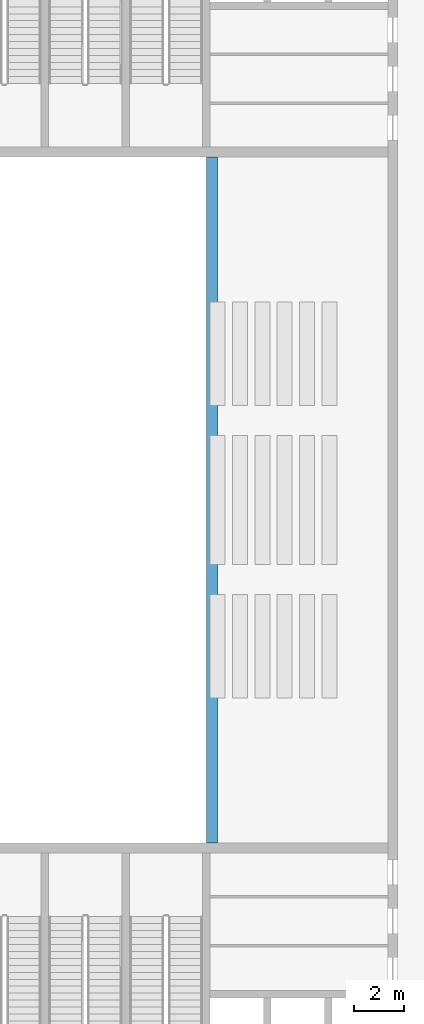
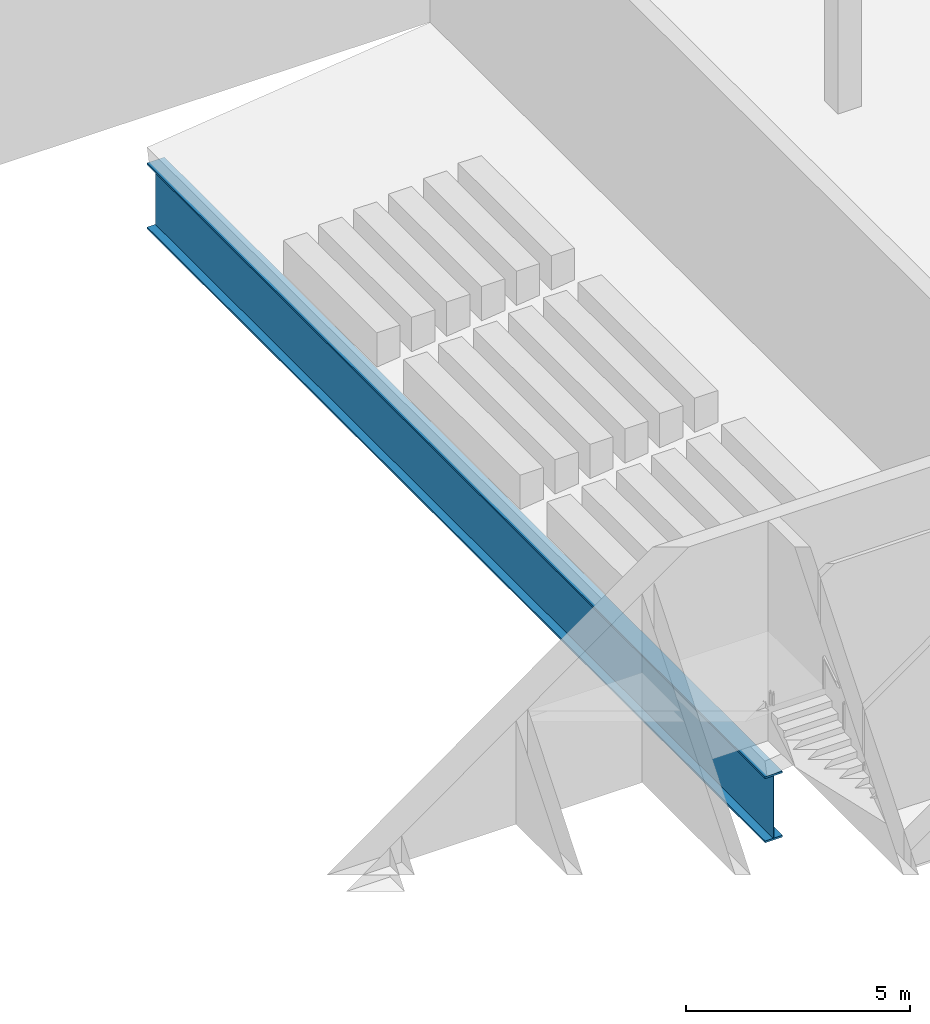
# One storey, part 6 of 74: 1 beam.
"""IFC4 building model written with IfcOpenShell, lengths in metres."""

from ifc_helpers import new_model, si_unit, direction, frame, origin, origin_2d, place, context, subcontext, project, spatial, i_section, extrude, material, material_profile, profile_set, type_object, element, save


model = new_model("IFC4")

# Units and contexts
model_context = context("Model", 3, precision=1e-05, world=origin(), true_north=direction((0.0, 1.0)))
body_context = subcontext(model_context, "Body", "Model", "MODEL_VIEW")
ifc_project = project(units=[si_unit("LENGTHUNIT", "METRE"), si_unit("AREAUNIT", "SQUARE_METRE"), si_unit("VOLUMEUNIT", "CUBIC_METRE"), si_unit("PLANEANGLEUNIT", "RADIAN"), si_unit("MASSUNIT", "GRAM", prefix="KILO")], contexts=[model_context])

# Site, building, storey
site_placement = place(None, origin())
site = spatial("IfcSite", under=ifc_project, at=site_placement, CompositionType="ELEMENT")
building_placement = place(site_placement, origin())
building = spatial("IfcBuilding", under=site, at=building_placement, Name="Noorbagh Ring Tower", CompositionType="ELEMENT")
storey_placement = place(building_placement, frame((0.0, 0.0, 13.5)))
storey = spatial("IfcBuildingStorey", under=building, at=storey_placement, Name="L02", CompositionType="ELEMENT", Elevation=13.5)

# Beam
ifc_material = material(Name="Steel S355", Category="steel")
ifc_material_profile = material_profile(ifc_material, i_section(OverallWidth=0.449951171875, OverallDepth=1.800048828125, WebThickness=0.02490234375, FlangeThickness=0.050048828125, at=origin_2d()), Name="PG1800x450x25x50")
ifc_profile_set = profile_set([ifc_material_profile], Name="Steel S355")
beam_type = type_object("IfcBeamType", Name="TH-GIRDER-BALCONY", PredefinedType="BEAM", material=ifc_profile_set)
beam_placement = place(storey_placement, frame((-118.27490234375, -8.800048828125, -2.178466796875), z_axis=(0.0, 1.0, 0.0), x_axis=(-1.0, 0.0, 0.0)))
element("IfcBeam", 1, at=beam_placement, inside=storey, type_object=beam_type, Name="L02/th-bm/balcony-front", PredefinedType="BEAM", context=body_context, shape_type="SweptSolid", body=[
    extrude(i_section(OverallWidth=0.449951171875, OverallDepth=1.800048828125, WebThickness=0.02490234375, FlangeThickness=0.050048828125, at=origin_2d()), origin(), (0.0, 0.0, 1.0), 27.60009765625),
])

save(model, "model.ifc")
